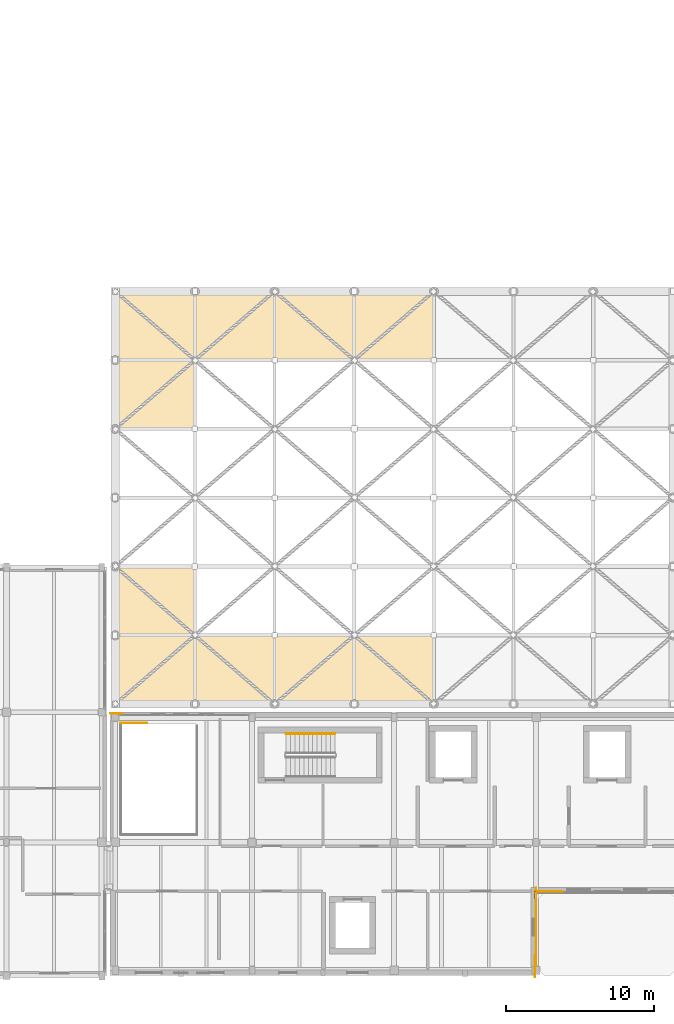
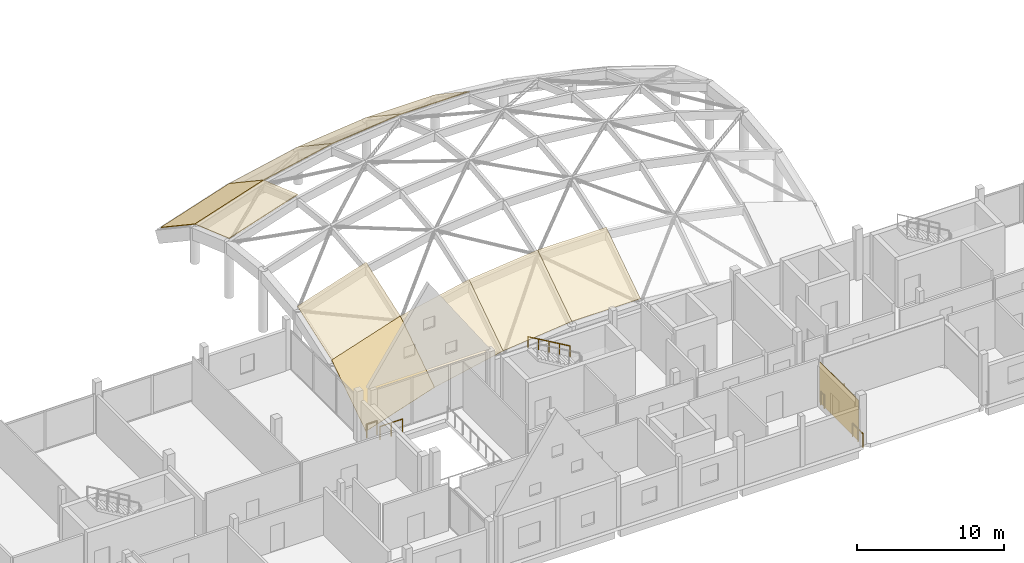
# One storey, part 34 of 41: 11 coverings, 6 railings.
"""IFC4 building model written with IfcOpenShell, lengths in metres."""

import ifcopenshell
import ifcopenshell.guid

model = None  # the IFC model being written
_history = None  # IfcOwnerHistory: only IFC2X3 demands one
_inside = {}  # id of a spatial element -> (the spatial element, [elements in it])
_under = {}  # id of a project, library or spatial element -> (it, [spatial elements below it])
_declared = {}  # id of a project -> (the project, [libraries it declares])
_typed = {}  # id of a type object -> (the type object, [elements of that type])
_made_of = {}  # id of a material, layer set ... -> (it, [elements and type objects made of it])


def new_model(schema):
    """Start an empty IFC model of exactly this schema.

    Asked for "IFC4X3", IfcOpenShell would pick the latest addendum, in which some entities
    have other attributes; the version numbers below select the first issue.
    IFC2X3 requires an IfcOwnerHistory on every rooted entity: one is made here for all.
    """
    global model, _history
    if schema == "IFC4X3":
        model = ifcopenshell.file(schema_version=(4, 3, 0, 0))
    else:
        model = ifcopenshell.file(schema=schema)
    _inside.clear()
    _under.clear()
    _declared.clear()
    _typed.clear()
    _made_of.clear()
    _history = None
    if model.schema == "IFC2X3":
        org = make("IfcOrganization", Name="unknown")
        user = make(
            "IfcPersonAndOrganization",
            ThePerson=make("IfcPerson", FamilyName="unknown"),
            TheOrganization=org,
        )
        app = make(
            "IfcApplication",
            ApplicationDeveloper=org,
            Version="unknown",
            ApplicationFullName="unknown",
            ApplicationIdentifier="unknown",
        )
        _history = make(
            "IfcOwnerHistory",
            OwningUser=user,
            OwningApplication=app,
            ChangeAction="ADDED",
            CreationDate=0,
        )
    return model


def make(cls, **values):
    """One entity of the class cls with the attributes given. An attribute that is None is left unset."""
    return model.create_entity(
        cls, **{name: value for name, value in values.items() if value is not None}
    )


def rooted(cls, **values):
    """An entity with a GlobalId (a new one), such as an element, a storey or a relation."""
    return make(cls, GlobalId=ifcopenshell.guid.new(), OwnerHistory=_history, **values)


def si_unit(unit_type, name, prefix=None):
    """IfcSIUnit, for example si_unit("LENGTHUNIT", "METRE", prefix="MILLI")."""
    return make("IfcSIUnit", UnitType=unit_type, Prefix=prefix, Name=name)


def assignment(units):
    """IfcUnitAssignment: the units of a project."""
    return None if units is None else make("IfcUnitAssignment", Units=units)


def point(xyz):
    """IfcCartesianPoint."""
    return None if xyz is None else make("IfcCartesianPoint", Coordinates=xyz)


def direction(xyz):
    """IfcDirection."""
    return None if xyz is None else make("IfcDirection", DirectionRatios=xyz)


def frame(location, z_axis=None, x_axis=None):
    """IfcAxis2Placement3D, a coordinate frame: its origin and axes. An axis left out is left unset."""
    return make(
        "IfcAxis2Placement3D",
        Location=point(location),
        Axis=direction(z_axis),
        RefDirection=direction(x_axis),
    )


def frame_2d(location, x_axis=None):
    """IfcAxis2Placement2D, a coordinate frame in the plane: its origin and x axis."""
    return make(
        "IfcAxis2Placement2D", Location=point(location), RefDirection=direction(x_axis)
    )


def origin():
    """The frame at (0, 0, 0) with its axes left unset."""
    return frame((0.0, 0.0, 0.0))


def origin_2d():
    """The frame at (0, 0) in the plane with its x axis left unset."""
    return frame_2d((0.0, 0.0))


def place(relative_to, where):
    """IfcLocalPlacement: puts the frame where relative to a parent placement (None: the world)."""
    return make(
        "IfcLocalPlacement", PlacementRelTo=relative_to, RelativePlacement=where
    )


def context(
    kind, dimensions, precision=None, world=None, true_north=None, identifier=None
):
    """IfcGeometricRepresentationContext, for example the 3D "Model" context."""
    return make(
        "IfcGeometricRepresentationContext",
        ContextIdentifier=identifier,
        ContextType=kind,
        CoordinateSpaceDimension=dimensions,
        Precision=precision,
        WorldCoordinateSystem=world,
        TrueNorth=true_north,
    )


def subcontext(parent, identifier, kind, view, scale=None):
    """IfcGeometricRepresentationSubContext, for example "Body" below "Model"."""
    return make(
        "IfcGeometricRepresentationSubContext",
        ContextIdentifier=identifier,
        ContextType=kind,
        ParentContext=parent,
        TargetScale=scale,
        TargetView=view,
    )


def project(units=None, contexts=None):
    """IfcProject with its units and contexts."""
    return rooted(
        "IfcProject",
        Name="project",
        RepresentationContexts=contexts,
        UnitsInContext=assignment(units),
    )


def spatial(cls, under=None, at=None, **own):
    """A site, building, storey or space (cls), placed at a placement, below another one or the project."""
    s = rooted(cls, ObjectPlacement=at, **own)
    if under is not None:
        _under.setdefault(under.id(), (under, []))[1].append(s)
    return s


def polyline(points):
    """IfcPolyline through the points."""
    return make("IfcPolyline", Points=[point(p) for p in points])


def profile(cls, at=None, kind="AREA", **sizes):
    """A parametric profile (cls). Its sizes go by their IFC names, for example OverallWidth=200.0."""
    return make(cls, ProfileType=kind, Position=at, **sizes)


def rectangle(**sizes):
    """IfcRectangleProfileDef."""
    return profile("IfcRectangleProfileDef", **sizes)


def circle(**sizes):
    """IfcCircleProfileDef."""
    return profile("IfcCircleProfileDef", **sizes)


def outline(outer, holes=None, kind="AREA"):
    """IfcArbitraryClosedProfileDef: a profile drawn as a closed curve; with holes, ...WithVoids."""
    if holes is None:
        return make("IfcArbitraryClosedProfileDef", ProfileType=kind, OuterCurve=outer)
    return make(
        "IfcArbitraryProfileDefWithVoids",
        ProfileType=kind,
        OuterCurve=outer,
        InnerCurves=holes,
    )


def extrude(swept, where, along, depth):
    """IfcExtrudedAreaSolid: the profile swept, set in the frame where, extruded along a direction by depth."""
    return make(
        "IfcExtrudedAreaSolid",
        SweptArea=swept,
        Position=where,
        ExtrudedDirection=direction(along),
        Depth=depth,
    )


def shape(context_of_items, identifier, shape_type, items):
    """IfcShapeRepresentation: the items that make up one representation, for example the "Body"."""
    return make(
        "IfcShapeRepresentation",
        ContextOfItems=context_of_items,
        RepresentationIdentifier=identifier,
        RepresentationType=shape_type,
        Items=items,
    )


def material(Name=None, Category=None):
    """IfcMaterial."""
    return make("IfcMaterial", Name=Name, Category=Category)


def layer(
    of_material, thickness, ventilated=None, Name=None, Category=None, Priority=None
):
    """IfcMaterialLayer: one layer of a wall or slab, of a material (None: an air gap)."""
    return make(
        "IfcMaterialLayer",
        Material=of_material,
        LayerThickness=thickness,
        IsVentilated=ventilated,
        Name=Name,
        Category=Category,
        Priority=Priority,
    )


def layer_set(layers, Name=None):
    """IfcMaterialLayerSet."""
    return make("IfcMaterialLayerSet", MaterialLayers=layers, LayerSetName=Name)


def made_of(thing, what):
    """Note that an element or type object is made of a material, layer set ...; save() writes the relation."""
    if what is not None:
        _made_of.setdefault(what.id(), (what, []))[1].append(thing)
    return thing


def type_object(cls, material=None, **own):
    """A type object (cls), such as IfcWallType, which elements share."""
    return made_of(rooted(cls, **own), material)


def element(
    cls,
    number,
    at=None,
    inside=None,
    cuts=None,
    type_object=None,
    material=None,
    context=None,
    identifier="Body",
    shape_type=None,
    held_by="IfcProductDefinitionShape",
    body=None,
    shapes=None,
    **own,
):
    """One element of the class cls, such as IfcWall. Its Tag is "e" and its number.

    at: its placement. inside: the storey or other place that contains it. cuts: it is an
    opening in that element (IfcRelVoidsElement). A single representation is given by context,
    identifier, shape_type and body (its items); several are given by shapes. held_by: the class
    of the entity that holds the representations. save() writes the other relations.
    """
    e = rooted(cls, Tag="e%d" % number, ObjectPlacement=at, **own)
    if body is not None:
        shapes = [shape(context, identifier, shape_type, body)]
    if shapes is not None:
        e.Representation = make(held_by, Representations=shapes)
    if inside is not None:
        _inside.setdefault(inside.id(), (inside, []))[1].append(e)
    if cuts is not None:
        rooted(
            "IfcRelVoidsElement", RelatingBuildingElement=cuts, RelatedOpeningElement=e
        )
    if type_object is not None:
        _typed.setdefault(type_object.id(), (type_object, []))[1].append(e)
    return made_of(e, material)


def aggregate(whole, parts):
    """IfcRelAggregates: a whole, such as a stair, and the parts it consists of."""
    return rooted("IfcRelAggregates", RelatingObject=whole, RelatedObjects=parts)


def save(model, path):
    """Write the relations noted so far, then the file.

    IfcRelAggregates (storeys below a building ...), IfcRelContainedInSpatialStructure (elements
    in a storey), IfcRelDefinesByType, IfcRelAssociatesMaterial and IfcRelDeclares: one each for
    every whole, place, type object, material and project.
    """
    for whole, parts in _under.values():
        aggregate(whole, parts)
    for where, things in _inside.values():
        rooted(
            "IfcRelContainedInSpatialStructure",
            RelatedElements=things,
            RelatingStructure=where,
        )
    for kind, things in _typed.values():
        rooted("IfcRelDefinesByType", RelatedObjects=things, RelatingType=kind)
    for what, things in _made_of.values():
        rooted("IfcRelAssociatesMaterial", RelatedObjects=things, RelatingMaterial=what)
    for by, libraries in _declared.values():
        rooted("IfcRelDeclares", RelatingContext=by, RelatedDefinitions=libraries)
    model.write(path)


model = new_model("IFC4")

# Units and contexts
model_context = context("Model", 3, precision=1e-05, world=origin(), true_north=direction((0.0, 1.0)))
body_context = subcontext(model_context, "Body", "Model", "MODEL_VIEW")
ifc_project = project(units=[si_unit("LENGTHUNIT", "METRE"), si_unit("AREAUNIT", "SQUARE_METRE"), si_unit("VOLUMEUNIT", "CUBIC_METRE"), si_unit("PLANEANGLEUNIT", "RADIAN"), si_unit("MASSUNIT", "GRAM", prefix="KILO")], contexts=[model_context])

# Site, building, storey
site_placement = place(None, origin())
site = spatial("IfcSite", under=ifc_project, at=site_placement, CompositionType="ELEMENT")
building_placement = place(site_placement, origin())
building = spatial("IfcBuilding", under=site, at=building_placement, Name="Birchvale Park Specialist Clinic", CompositionType="ELEMENT")
storey_placement = place(building_placement, frame((0.0, 0.0, 9.60009765625)))
storey = spatial("IfcBuildingStorey", under=building, at=storey_placement, Name="L02", CompositionType="ELEMENT", Elevation=9.60009765625)

# Coverings
ifc_material_1 = material(Name="Nordic larch vertical rainscreen cladding")
ifc_layer_1 = layer(ifc_material_1, 0.044921875)
ifc_layer_set_1 = layer_set([ifc_layer_1], Name="Nordic larch vertical rainscreen cladding")
covering_type_1 = type_object("IfcCoveringType", Name="COV-CL1", PredefinedType="CLADDING", material=ifc_layer_set_1)
covering_1_placement = place(storey_placement, frame((80.6025390625, 20.074951171875, 0.02001953125), z_axis=(0.0, 0.0, 1.0), x_axis=(0.0, 1.0, 0.0)))
element("IfcCovering", 1, at=covering_1_placement, inside=storey, type_object=covering_type_1, Name="V4 L02 Nordic larch cladding 14", PredefinedType="CLADDING", context=body_context, shape_type="SweptSolid", body=[
    extrude(rectangle(XDim=5.2900390625, YDim=0.044921875, at=origin_2d()), origin(), (0.0, 0.0, 1.0), 3.364990234375),
])
ifc_material_2 = material(Name="Standing-seam titanium-zinc roofing")
ifc_layer_2 = layer(ifc_material_2, 0.054931640625)
ifc_layer_set_2 = layer_set([ifc_layer_2], Name="Standing-seam titanium-zinc roofing")
covering_type_2 = type_object("IfcCoveringType", Name="COV-RF2", PredefinedType="ROOFING", material=ifc_layer_set_2)
covering_2_placement = place(storey_placement, frame((52.14990234375, 35.14990234375, 0.054931640625), z_axis=(-0.262729709177, -0.535825606069, 0.802411378158), x_axis=(0.950354284012, 0.0, 0.311169945304)))
element("IfcCovering", 2, at=covering_2_placement, inside=storey, type_object=covering_type_2, Name="V1 gridshell standing-seam covering 1", PredefinedType="ROOFING", context=body_context, shape_type="SweptSolid", body=[
    extrude(outline(polyline([(0.0, 0.0), (5.66708887212652, 0.0), (6.633341443983735, 5.507507436962079), (0.9662525718572146, 5.507507436962079), (0.0, 0.0)])), origin(), (0.0, 0.0, -1.0), 0.054931640625),
])
covering_3_placement = place(storey_placement, frame((52.14990234375, 39.800048828125, 3.16015625), z_axis=(-0.295043747658, -0.317746822713, 0.901102737552), x_axis=(0.950354284012, 0.0, 0.311169945304)))
element("IfcCovering", 3, at=covering_3_placement, inside=storey, type_object=covering_type_2, Name="V1 gridshell standing-seam covering 2", PredefinedType="ROOFING", context=body_context, shape_type="SweptSolid", body=[
    extrude(outline(polyline([(0.0, 0.0), (5.66708887212652, 1.1102230246251565e-16), (6.177298186741902, 4.904051922674518), (0.5102093146153828, 4.904051922674518), (0.0, 0.0)])), origin(), (0.0, 0.0, -1.0), 0.054931640625),
])
covering_4_placement = place(storey_placement, frame((52.14990234375, 53.75, 4.7998046875), z_axis=(-0.295043747658, 0.317746822713, 0.901102737552), x_axis=(0.950354284012, 0.0, 0.311169945304)))
element("IfcCovering", 4, at=covering_4_placement, inside=storey, type_object=covering_type_2, Name="V1 gridshell standing-seam covering 5", PredefinedType="ROOFING", context=body_context, shape_type="SweptSolid", body=[
    extrude(outline(polyline([(0.0, 0.0), (5.66708887212652, -1.1102230246251565e-16), (5.156879557511138, 4.904051922674518), (-0.5102093146153828, 4.904051922674518), (0.0, 0.0)])), origin(), (0.0, 0.0, -1.0), 0.054931640625),
])
covering_5_placement = place(storey_placement, frame((52.14990234375, 58.39990234375, 3.16015625), z_axis=(-0.262729709177, 0.535825606069, 0.802411378158), x_axis=(0.950354284012, 0.0, 0.311169945304)))
element("IfcCovering", 5, at=covering_5_placement, inside=storey, type_object=covering_type_2, Name="V1 gridshell standing-seam covering 6", PredefinedType="ROOFING", context=body_context, shape_type="SweptSolid", body=[
    extrude(outline(polyline([(0.0, 0.0), (5.66708887212652, 0.0), (4.700836300269305, 5.50750743696208), (-0.9662525718572146, 5.507507436962079), (0.0, 0.0)])), origin(), (0.0, 0.0, -1.0), 0.054931640625),
])
covering_6_placement = place(storey_placement, frame((57.53564453125, 35.14990234375, 1.818359375), z_axis=(-0.17367317215, -0.546895579373, 0.818988922109), x_axis=(0.978246670793, 0.0, 0.207445055574)))
element("IfcCovering", 6, at=covering_6_placement, inside=storey, type_object=covering_type_2, Name="V1 gridshell standing-seam covering 7", PredefinedType="ROOFING", context=body_context, shape_type="SweptSolid", body=[
    extrude(outline(polyline([(0.0, 0.0), (5.5055052557793625, 0.0), (6.149668747441984, 5.554397860868658), (0.6441634916626215, 5.554397860868658), (0.0, 0.0)])), origin(), (0.0, 0.0, -1.0), 0.054931640625),
])
covering_7_placement = place(storey_placement, frame((57.53564453125, 58.39990234375, 4.923583984375), z_axis=(-0.17367317215, 0.546895579373, 0.818988922109), x_axis=(0.978246670793, 0.0, 0.207445055574)))
element("IfcCovering", 7, at=covering_7_placement, inside=storey, type_object=covering_type_2, Name="V1 gridshell standing-seam covering 12", PredefinedType="ROOFING", context=body_context, shape_type="SweptSolid", body=[
    extrude(outline(polyline([(0.0, 0.0), (5.5055052557793625, 0.0), (4.861341764116741, 5.554397860868658), (-0.6441634916626215, 5.554397860868658), (0.0, 0.0)])), origin(), (0.0, 0.0, -1.0), 0.054931640625),
])
covering_8_placement = place(storey_placement, frame((62.92138671875, 35.14990234375, 2.96044921875), z_axis=(-0.086382234799, -0.553259007255, 0.828518304205), x_axis=(0.994608725176, 0.0, 0.103699005798)))
element("IfcCovering", 8, at=covering_8_placement, inside=storey, type_object=covering_type_2, Name="V1 gridshell standing-seam covering 13", PredefinedType="ROOFING", context=body_context, shape_type="SweptSolid", body=[
    extrude(outline(polyline([(0.0, 0.0), (5.4149355934377565, 0.0), (5.7369442982095995, 5.582346513327925), (0.3220087047718434, 5.582346513327925), (0.0, 0.0)])), origin(), (0.0, 0.0, -1.0), 0.054931640625),
])
covering_9_placement = place(storey_placement, frame((62.92138671875, 58.39990234375, 6.065673828125), z_axis=(-0.086382234799, 0.553259007255, 0.828518304205), x_axis=(0.994608725176, 0.0, 0.103699005798)))
element("IfcCovering", 9, at=covering_9_placement, inside=storey, type_object=covering_type_2, Name="V1 gridshell standing-seam covering 18", PredefinedType="ROOFING", context=body_context, shape_type="SweptSolid", body=[
    extrude(outline(polyline([(0.0, 0.0), (5.4149355934377565, 0.0), (5.092926888665913, 5.582346513327926), (-0.3220087047718434, 5.582346513327925), (0.0, 0.0)])), origin(), (0.0, 0.0, -1.0), 0.054931640625),
])
for number, where, z_axis, x_axis, name in (
    (10, (68.30712890625, 35.14990234375, 3.52197265625), (0.0, -0.555334810631, 0.831626868314), (1.0, 0.0, 0.0), "V1 gridshell standing-seam covering 19"),
    (11, (68.30712890625, 58.39990234375, 6.627197265625), (0.0, 0.555334810631, 0.831626868314), (1.0, 0.0, 0.0), "V1 gridshell standing-seam covering 24"),
):
    element("IfcCovering", number, at=place(storey_placement, frame(where, z_axis=z_axis, x_axis=x_axis)), inside=storey, type_object=covering_type_2, Name=name, PredefinedType="ROOFING", context=body_context, shape_type="SweptSolid", body=[
        extrude(outline(polyline([(0.0, 0.0), (5.3857421875, 0.0), (5.3857421875, 5.591626078415231), (0.0, 5.591626078415231), (0.0, 0.0)])), origin(), (0.0, 0.0, -1.0), 0.054931640625),
    ])

# Railings
ifc_material_3 = material(Name="Brushed stainless steel and laminated glass balustrade", Category="steel")
railing_type_1 = type_object("IfcRailingType", Name="RL-BAL1", PredefinedType="BALUSTRADE", material=ifc_material_3)
railing_1_placement = place(storey_placement, frame((82.385009765625, 22.47998046875, 0.0)))
element("IfcRailing", 12, at=railing_1_placement, inside=storey, type_object=railing_type_1, Name="V4 L02 atrium void balustrade 22", PredefinedType="BALUSTRADE", context=body_context, shape_type="SweptSolid", body=[
    extrude(circle(Radius=0.02392578125, at=origin_2d()), frame((0.0, 0.0, 1.09619140625), z_axis=(-1.0, 0.0, 0.0), x_axis=(0.0, -1.0, 0.0)), (0.0, 0.0, 1.0), 1.864990234375),
    extrude(circle(Radius=0.02099609375, at=origin_2d()), origin(), (0.0, 0.0, 1.0), 1.072021484375),
    extrude(circle(Radius=0.02099609375, at=origin_2d()), frame((-0.9326171875, 0.0, 0.0)), (0.0, 0.0, 1.0), 1.072021484375),
    extrude(circle(Radius=0.02099609375, at=origin_2d()), frame((-1.864990234375, 0.0, 0.0)), (0.0, 0.0, 1.0), 1.072021484375),
])
railing_2_placement = place(storey_placement, frame((80.52001953125, 22.47998046875, 0.0)))
element("IfcRailing", 13, at=railing_2_placement, inside=storey, type_object=railing_type_1, Name="V4 L02 atrium void balustrade 23", PredefinedType="BALUSTRADE", context=body_context, shape_type="SweptSolid", body=[
    extrude(circle(Radius=0.02392578125, at=origin_2d()), frame((0.0, 0.0, 1.09619140625), z_axis=(0.0, -1.0, 0.0), x_axis=(1.0, 0.0, 0.0)), (0.0, 0.0, 1.0), 0.47998046875),
    extrude(circle(Radius=0.02099609375, at=origin_2d()), origin(), (0.0, 0.0, 1.0), 1.072021484375),
    extrude(circle(Radius=0.02099609375, at=origin_2d()), frame((0.0, -0.47998046875, 0.0)), (0.0, 0.0, 1.0), 1.072021484375),
])
railing_3_placement = place(storey_placement, frame((80.52001953125, 18.14990234375, 0.0)))
element("IfcRailing", 14, at=railing_3_placement, inside=storey, type_object=railing_type_1, Name="V4 L02 atrium void balustrade 24", PredefinedType="BALUSTRADE", context=body_context, shape_type="SweptSolid", body=[
    extrude(circle(Radius=0.02392578125, at=origin_2d()), frame((0.0, 0.0, 1.09619140625), z_axis=(0.0, -1.0, 0.0), x_axis=(1.0, 0.0, 0.0)), (0.0, 0.0, 1.0), 1.429931640625),
    extrude(circle(Radius=0.02099609375, at=origin_2d()), origin(), (0.0, 0.0, 1.0), 1.072021484375),
    extrude(circle(Radius=0.02099609375, at=origin_2d()), frame((0.0, -0.71484375, 0.0)), (0.0, 0.0, 1.0), 1.072021484375),
    extrude(circle(Radius=0.02099609375, at=origin_2d()), frame((0.0, -1.429931640625, 0.0)), (0.0, 0.0, 1.0), 1.072021484375),
])
railing_4_placement = place(storey_placement, frame((54.2939453125, 33.8798828125, 0.0)))
element("IfcRailing", 15, at=railing_4_placement, inside=storey, type_object=railing_type_1, Name="V4 L02 atrium void balustrade 27", PredefinedType="BALUSTRADE", context=body_context, shape_type="SweptSolid", body=[
    extrude(circle(Radius=0.02392578125, at=origin_2d()), frame((0.0, 0.0, 1.09619140625), z_axis=(-1.0, 0.0, 0.0), x_axis=(0.0, -1.0, 0.0)), (0.0, 0.0, 1.0), 1.77392578125),
    extrude(circle(Radius=0.02099609375, at=origin_2d()), origin(), (0.0, 0.0, 1.0), 1.072021484375),
    extrude(circle(Radius=0.02099609375, at=origin_2d()), frame((-0.886962890625, 0.0, 0.0)), (0.0, 0.0, 1.0), 1.072021484375),
    extrude(circle(Radius=0.02099609375, at=origin_2d()), frame((-1.77392578125, 0.0, 0.0)), (0.0, 0.0, 1.0), 1.072021484375),
])
railing_type_2 = type_object("IfcRailingType", Name="RL-BAL2", PredefinedType="BALUSTRADE", material=ifc_material_3)
railing_5_placement = place(storey_placement, frame((51.85009765625, 34.52001953125, 0.0)))
element("IfcRailing", 16, at=railing_5_placement, inside=storey, type_object=railing_type_2, Name="V4 L02 corner edge guard NW", PredefinedType="BALUSTRADE", context=body_context, shape_type="SweptSolid", body=[
    extrude(circle(Radius=0.02392578125, at=origin_2d()), frame((0.0, 0.0, 1.1259765625), z_axis=(1.0, 0.0, 0.0), x_axis=(0.0, 1.0, 0.0)), (0.0, 0.0, 1.0), 0.7998046875),
    extrude(circle(Radius=0.02099609375, at=origin_2d()), origin(), (0.0, 0.0, 1.0), 1.101806640625),
    extrude(circle(Radius=0.02099609375, at=origin_2d()), frame((0.7998046875, 0.0, 0.0)), (0.0, 0.0, 1.0), 1.101806640625),
])
ifc_material_4 = material(Name="Anodised aluminium handrail", Category="aluminium")
railing_type_3 = type_object("IfcRailingType", Name="RL-HND1", PredefinedType="HANDRAIL", material=ifc_material_4)
railing_6_placement = place(storey_placement, frame((67.0, 33.14990234375, 2.27490234375)))
element("IfcRailing", 17, at=railing_6_placement, inside=storey, type_object=railing_type_3, Name="L02 ST4 stair handrail 2", PredefinedType="HANDRAIL", context=body_context, shape_type="SweptSolid", body=[
    extrude(circle(Radius=0.02392578125, at=origin_2d()), frame((0.0, 0.0, 0.8759765625), z_axis=(-0.863776583165, 0.0, 0.503874998761), x_axis=(0.0, -1.0, 0.0)), (0.0, 0.0, 1.0), 3.820556640625),
    extrude(circle(Radius=0.02099609375, at=origin_2d()), origin(), (0.0, 0.0, 1.0), 0.851806640625),
    extrude(circle(Radius=0.02099609375, at=origin_2d()), frame((-0.824951171875, 0.0, 0.481201171875)), (0.0, 0.0, 1.0), 0.851806640625),
    extrude(circle(Radius=0.02099609375, at=origin_2d()), frame((-1.64990234375, 0.0, 0.96240234375)), (0.0, 0.0, 1.0), 0.851806640625),
    extrude(circle(Radius=0.02099609375, at=origin_2d()), frame((-2.47509765625, 0.0, 1.44384765625)), (0.0, 0.0, 1.0), 0.851806640625),
    extrude(circle(Radius=0.02099609375, at=origin_2d()), frame((-3.300048828125, 0.0, 1.925048828125)), (0.0, 0.0, 1.0), 0.851806640625),
])

save(model, "model.ifc")
